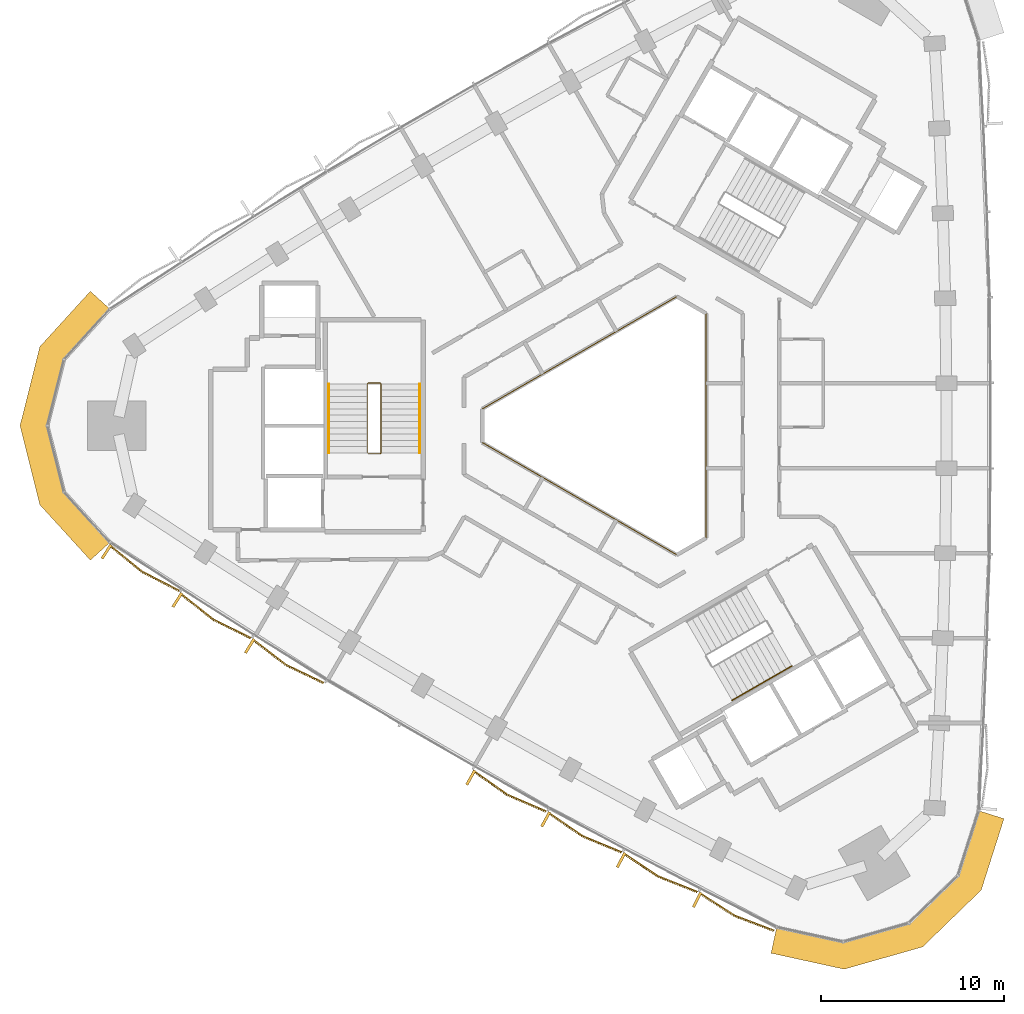
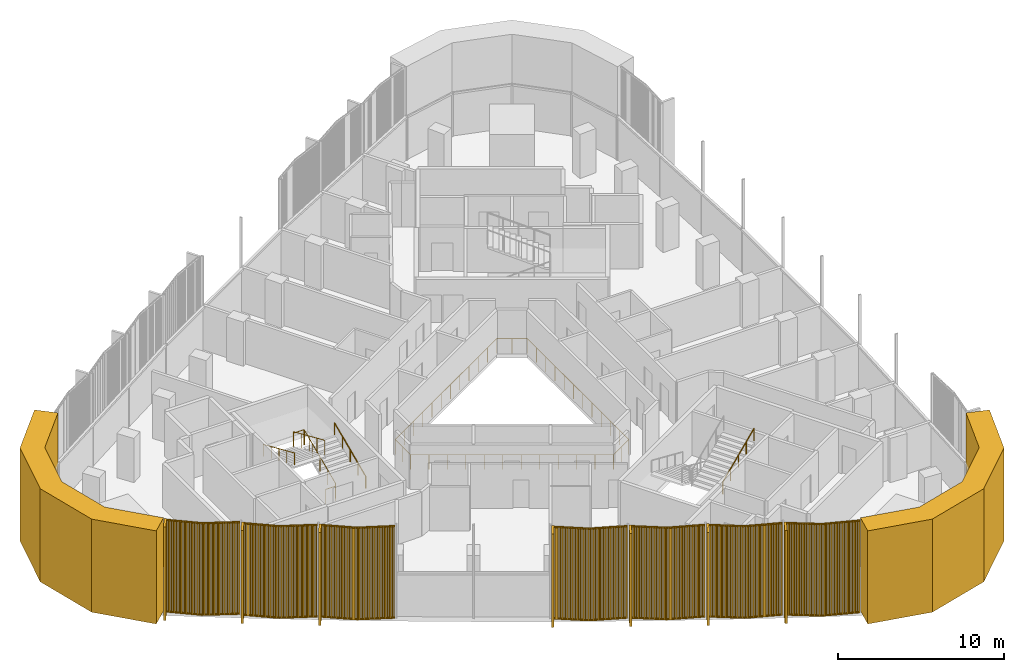
# One storey, part 12 of 14: 9 coverings, 5 railings.
"""IFC4 building model written with IfcOpenShell, lengths in metres."""

from ifc_helpers import new_model, si_unit, direction, frame, frame_2d, origin, origin_2d, place, context, subcontext, project, spatial, polyline, rectangle, circle, outline, extrude, source, transform, mapped, material, layer, layer_set, type_object, element, save


model = new_model("IFC4")

# Units and contexts
model_context = context("Model", 3, precision=1e-05, world=origin(), true_north=direction((0.0, 1.0)))
body_context = subcontext(model_context, "Body", "Model", "MODEL_VIEW")
ifc_project = project(units=[si_unit("LENGTHUNIT", "METRE"), si_unit("AREAUNIT", "SQUARE_METRE"), si_unit("VOLUMEUNIT", "CUBIC_METRE"), si_unit("PLANEANGLEUNIT", "RADIAN"), si_unit("MASSUNIT", "GRAM", prefix="KILO")], contexts=[model_context])

# Site, building, storey
site_placement = place(None, origin())
site = spatial("IfcSite", under=ifc_project, at=site_placement, CompositionType="ELEMENT")
building_placement = place(site_placement, origin())
building = spatial("IfcBuilding", under=site, at=building_placement, Name="Tamra Quay Hotel Tower", CompositionType="ELEMENT")
storey_placement = place(building_placement, frame((0.0, 0.0, 197.199951171875)))
storey = spatial("IfcBuildingStorey", under=building, at=storey_placement, Name="L49", CompositionType="ELEMENT", Elevation=197.199951171875)

# Coverings
ifc_material_1 = material(Name="Precast concrete M60 terracotta-coloured", Category="masonry")
ifc_layer = layer(ifc_material_1, 1.449951171875)
ifc_layer_set = layer_set([ifc_layer], Name="CORNER PIER PANEL")
covering_type_1 = type_object("IfcCoveringType", Name="CORNER PIER PANEL", PredefinedType="CLADDING", material=ifc_layer_set)
covering_1_placement = place(storey_placement, origin())
element("IfcCovering", 1, at=covering_1_placement, inside=storey, type_object=covering_type_1, Name="Corner pier L49.north-west", PredefinedType="CLADDING", context=body_context, shape_type="SweptSolid", body=[
    extrude(outline(polyline([(-27.928955078125, 6.36376953125), (-29.000732421875, 7.34033203125), (-31.754150390625, 4.318359375), (-32.83984375, 0.0), (-31.754150390625, -4.318359375), (-29.000732421875, -7.34033203125), (-27.928955078125, -6.36376953125), (-30.436767578125, -3.611083984375), (-31.3447265625, 0.0), (-30.436767578125, 3.611083984375), (-27.928955078125, 6.36376953125)])), origin(), (0.0, 0.0, 1.0), 6.85009765625),
])
covering_2_placement = place(storey_placement, origin())
element("IfcCovering", 2, at=covering_2_placement, inside=storey, type_object=covering_type_1, Name="Corner pier L49.south-west", PredefinedType="CLADDING", context=body_context, shape_type="SweptSolid", body=[
    extrude(outline(polyline([(8.453369140625, -27.369140625), (8.1435546875, -28.78564453125), (12.13720703125, -29.6591796875), (16.419921875, -28.440185546875), (19.616943359375, -25.3408203125), (20.857421875, -21.4453125), (19.4755859375, -21.00537109375), (18.345703125, -24.553466796875), (15.67236328125, -27.1455078125), (12.091064453125, -28.164794921875), (8.453369140625, -27.369140625)])), origin(), (0.0, 0.0, 1.0), 6.85009765625),
])

# Railings
ifc_material_2 = material(Name="Guard atrium edge 1100")
railing_type_1 = type_object("IfcRailingType", Name="Guard atrium edge 1100", PredefinedType="GUARDRAIL", material=ifc_material_2)
railing_1_placement = place(storey_placement, frame((4.60009765625, -6.1201171875, 0.0)))
element("IfcRailing", 3, at=railing_1_placement, inside=storey, type_object=railing_type_1, Name="G-A", PredefinedType="GUARDRAIL", context=body_context, shape_type="SweptSolid", body=[
    extrude(circle(Radius=0.02392578125, at=origin_2d()), frame((0.0, 0.0, 1.076171875), z_axis=(-0.86602275259, -0.500004591975, 0.0), x_axis=(0.500004591975, -0.86602275259, 0.0)), (0.0, 0.0, 1.0), 1.84765625),
    extrude(circle(Radius=0.02392578125, at=origin_2d()), frame((-1.60009765625, -0.923828125, 1.076171875), z_axis=(-0.866028806638, 0.499994106039, 0.0), x_axis=(-0.499994106039, -0.866028806638, 0.0)), (0.0, 0.0, 1.0), 12.239990234375),
    extrude(circle(Radius=0.02392578125, at=origin_2d()), frame((-12.2001953125, 5.196044921875, 1.076171875), z_axis=(0.0, 1.0, 0.0), x_axis=(-1.0, 0.0, 0.0)), (0.0, 0.0, 1.0), 1.84814453125),
    extrude(circle(Radius=0.02392578125, at=origin_2d()), frame((-12.2001953125, 7.044189453125, 1.076171875), z_axis=(0.866028806638, 0.499994106039, 0.0), x_axis=(-0.499994106039, 0.866028806638, 0.0)), (0.0, 0.0, 1.0), 12.239990234375),
    extrude(circle(Radius=0.02392578125, at=origin_2d()), frame((-1.60009765625, 13.1640625, 1.076171875), z_axis=(0.86602275259, -0.500004591975, 0.0), x_axis=(0.500004591975, 0.86602275259, 0.0)), (0.0, 0.0, 1.0), 1.84765625),
    extrude(circle(Radius=0.02392578125, at=origin_2d()), frame((0.0, 12.240234375, 1.076171875), z_axis=(0.0, -1.0, 0.0), x_axis=(1.0, 0.0, 0.0)), (0.0, 0.0, 1.0), 12.240234375),
    extrude(circle(Radius=0.02099609375, at=origin_2d()), origin(), (0.0, 0.0, 1.0), 1.052001953125),
    extrude(circle(Radius=0.02099609375, at=origin_2d()), frame((-0.800048828125, -0.4619140625, 0.0)), (0.0, 0.0, 1.0), 1.052001953125),
    extrude(circle(Radius=0.02099609375, at=origin_2d()), frame((-1.60009765625, -0.923828125, 0.0)), (0.0, 0.0, 1.0), 1.052001953125),
    extrude(circle(Radius=0.02099609375, at=origin_2d()), frame((-2.563720703125, -0.367431640625, 0.0)), (0.0, 0.0, 1.0), 1.052001953125),
    extrude(circle(Radius=0.02099609375, at=origin_2d()), frame((-3.52734375, 0.18896484375, 0.0)), (0.0, 0.0, 1.0), 1.052001953125),
    extrude(circle(Radius=0.02099609375, at=origin_2d()), frame((-4.490966796875, 0.7451171875, 0.0)), (0.0, 0.0, 1.0), 1.052001953125),
    extrude(circle(Radius=0.02099609375, at=origin_2d()), frame((-5.45458984375, 1.301513671875, 0.0)), (0.0, 0.0, 1.0), 1.052001953125),
    extrude(circle(Radius=0.02099609375, at=origin_2d()), frame((-6.418212890625, 1.85791015625, 0.0)), (0.0, 0.0, 1.0), 1.052001953125),
    extrude(circle(Radius=0.02099609375, at=origin_2d()), frame((-7.382080078125, 2.414306640625, 0.0)), (0.0, 0.0, 1.0), 1.052001953125),
    extrude(circle(Radius=0.02099609375, at=origin_2d()), frame((-8.345703125, 2.970703125, 0.0)), (0.0, 0.0, 1.0), 1.052001953125),
    extrude(circle(Radius=0.02099609375, at=origin_2d()), frame((-9.309326171875, 3.527099609375, 0.0)), (0.0, 0.0, 1.0), 1.052001953125),
    extrude(circle(Radius=0.02099609375, at=origin_2d()), frame((-10.27294921875, 4.083251953125, 0.0)), (0.0, 0.0, 1.0), 1.052001953125),
    extrude(circle(Radius=0.02099609375, at=origin_2d()), frame((-11.236572265625, 4.6396484375, 0.0)), (0.0, 0.0, 1.0), 1.052001953125),
    extrude(circle(Radius=0.02099609375, at=origin_2d()), frame((-12.2001953125, 5.196044921875, 0.0)), (0.0, 0.0, 1.0), 1.052001953125),
    extrude(circle(Radius=0.02099609375, at=origin_2d()), frame((-12.2001953125, 6.1201171875, 0.0)), (0.0, 0.0, 1.0), 1.052001953125),
    extrude(circle(Radius=0.02099609375, at=origin_2d()), frame((-12.2001953125, 7.044189453125, 0.0)), (0.0, 0.0, 1.0), 1.052001953125),
    extrude(circle(Radius=0.02099609375, at=origin_2d()), frame((-11.236572265625, 7.6005859375, 0.0)), (0.0, 0.0, 1.0), 1.052001953125),
    extrude(circle(Radius=0.02099609375, at=origin_2d()), frame((-10.27294921875, 8.156982421875, 0.0)), (0.0, 0.0, 1.0), 1.052001953125),
    extrude(circle(Radius=0.02099609375, at=origin_2d()), frame((-9.309326171875, 8.713134765625, 0.0)), (0.0, 0.0, 1.0), 1.052001953125),
    extrude(circle(Radius=0.02099609375, at=origin_2d()), frame((-8.345703125, 9.26953125, 0.0)), (0.0, 0.0, 1.0), 1.052001953125),
    extrude(circle(Radius=0.02099609375, at=origin_2d()), frame((-7.382080078125, 9.825927734375, 0.0)), (0.0, 0.0, 1.0), 1.052001953125),
    extrude(circle(Radius=0.02099609375, at=origin_2d()), frame((-6.418212890625, 10.38232421875, 0.0)), (0.0, 0.0, 1.0), 1.052001953125),
    extrude(circle(Radius=0.02099609375, at=origin_2d()), frame((-5.45458984375, 10.938720703125, 0.0)), (0.0, 0.0, 1.0), 1.052001953125),
    extrude(circle(Radius=0.02099609375, at=origin_2d()), frame((-4.490966796875, 11.4951171875, 0.0)), (0.0, 0.0, 1.0), 1.052001953125),
    extrude(circle(Radius=0.02099609375, at=origin_2d()), frame((-3.52734375, 12.05126953125, 0.0)), (0.0, 0.0, 1.0), 1.052001953125),
    extrude(circle(Radius=0.02099609375, at=origin_2d()), frame((-2.563720703125, 12.607666015625, 0.0)), (0.0, 0.0, 1.0), 1.052001953125),
    extrude(circle(Radius=0.02099609375, at=origin_2d()), frame((-1.60009765625, 13.1640625, 0.0)), (0.0, 0.0, 1.0), 1.052001953125),
    extrude(circle(Radius=0.02099609375, at=origin_2d()), frame((-0.800048828125, 12.7021484375, 0.0)), (0.0, 0.0, 1.0), 1.052001953125),
    extrude(circle(Radius=0.02099609375, at=origin_2d()), frame((0.0, 12.240234375, 0.0)), (0.0, 0.0, 1.0), 1.052001953125),
    extrude(circle(Radius=0.02099609375, at=origin_2d()), frame((0.0, 11.12744140625, 0.0)), (0.0, 0.0, 1.0), 1.052001953125),
    extrude(circle(Radius=0.02099609375, at=origin_2d()), frame((0.0, 10.0146484375, 0.0)), (0.0, 0.0, 1.0), 1.052001953125),
    extrude(circle(Radius=0.02099609375, at=origin_2d()), frame((0.0, 8.902099609375, 0.0)), (0.0, 0.0, 1.0), 1.052001953125),
    extrude(circle(Radius=0.02099609375, at=origin_2d()), frame((0.0, 7.789306640625, 0.0)), (0.0, 0.0, 1.0), 1.052001953125),
    extrude(circle(Radius=0.02099609375, at=origin_2d()), frame((0.0, 6.676513671875, 0.0)), (0.0, 0.0, 1.0), 1.052001953125),
    extrude(circle(Radius=0.02099609375, at=origin_2d()), frame((0.0, 5.563720703125, 0.0)), (0.0, 0.0, 1.0), 1.052001953125),
    extrude(circle(Radius=0.02099609375, at=origin_2d()), frame((0.0, 4.450927734375, 0.0)), (0.0, 0.0, 1.0), 1.052001953125),
    extrude(circle(Radius=0.02099609375, at=origin_2d()), frame((0.0, 3.338134765625, 0.0)), (0.0, 0.0, 1.0), 1.052001953125),
    extrude(circle(Radius=0.02099609375, at=origin_2d()), frame((0.0, 2.2255859375, 0.0)), (0.0, 0.0, 1.0), 1.052001953125),
    extrude(circle(Radius=0.02099609375, at=origin_2d()), frame((0.0, 1.11279296875, 0.0)), (0.0, 0.0, 1.0), 1.052001953125),
])
ifc_material_3 = material(Name="Stair guard 1100")
railing_type_2 = type_object("IfcRailingType", Name="Stair guard 1100", PredefinedType="GUARDRAIL", material=ifc_material_3)
railing_2_placement = place(storey_placement, frame((-13.84130859375, -1.530029296875, 0.0)))
element("IfcRailing", 4, at=railing_2_placement, inside=storey, type_object=railing_type_2, Name="GR", PredefinedType="GUARDRAIL", context=body_context, shape_type="SweptSolid", body=[
    extrude(circle(Radius=0.02392578125, at=origin_2d()), frame((0.0, 0.0, 1.076171875), z_axis=(1.0, 0.0, 0.0), x_axis=(0.0, 1.0, 0.0)), (0.0, 0.0, 1.0), 0.658935546875),
    extrude(circle(Radius=0.02392578125, at=origin_2d()), frame((0.658935546875, 0.0, 1.076171875), z_axis=(0.301511344578, 0.301511344578, 0.904534033733), x_axis=(-0.707106781187, 0.707106781187, 0.0)), (0.0, 0.0, 1.0), 0.166015625),
    extrude(circle(Radius=0.02392578125, at=origin_2d()), frame((0.708984375, 0.050048828125, 1.22607421875), z_axis=(0.0, 0.915795495799, 0.401644880304), x_axis=(-1.0, 0.0, 0.0)), (0.0, 0.0, 1.0), 4.10791015625),
    extrude(circle(Radius=0.02392578125, at=origin_2d()), frame((0.708984375, 3.81201171875, 2.8759765625), z_axis=(-0.708833529934, 0.705375805398, 0.0), x_axis=(-0.705375805398, -0.708833529934, 0.0)), (0.0, 0.0, 1.0), 0.070556640625),
    extrude(circle(Radius=0.02392578125, at=origin_2d()), frame((0.658935546875, 3.86181640625, 2.8759765625), z_axis=(-1.0, 0.0, 0.0), x_axis=(0.0, -1.0, 0.0)), (0.0, 0.0, 1.0), 0.658935546875),
    extrude(circle(Radius=0.02392578125, at=origin_2d()), frame((0.0, 3.86181640625, 2.8759765625), z_axis=(-0.302046947789, -0.300573548044, 0.904667443621), x_axis=(0.705375805398, -0.708833529934, 0.0)), (0.0, 0.0, 1.0), 0.165771484375),
    extrude(circle(Radius=0.02392578125, at=origin_2d()), frame((-0.050048828125, 3.81201171875, 3.02587890625), z_axis=(0.0, -0.915773634228, 0.401694723457), x_axis=(1.0, 0.0, 0.0)), (0.0, 0.0, 1.0), 4.10791015625),
    extrude(circle(Radius=0.02099609375, at=origin_2d()), origin(), (0.0, 0.0, 1.0), 1.052001953125),
    extrude(circle(Radius=0.02099609375, at=origin_2d()), frame((0.658935546875, 0.0, 0.0)), (0.0, 0.0, 1.0), 1.052001953125),
    extrude(circle(Radius=0.02099609375, at=origin_2d()), frame((0.708984375, 0.050048828125, 0.150146484375)), (0.0, 0.0, 1.0), 1.052001953125),
    extrude(circle(Radius=0.02099609375, at=origin_2d()), frame((0.708984375, 0.990478515625, 0.5625)), (0.0, 0.0, 1.0), 1.052001953125),
    extrude(circle(Radius=0.02099609375, at=origin_2d()), frame((0.708984375, 1.93115234375, 0.97509765625)), (0.0, 0.0, 1.0), 1.052001953125),
    extrude(circle(Radius=0.02099609375, at=origin_2d()), frame((0.708984375, 2.87158203125, 1.3876953125)), (0.0, 0.0, 1.0), 1.052001953125),
    extrude(circle(Radius=0.02099609375, at=origin_2d()), frame((0.708984375, 3.81201171875, 1.800048828125)), (0.0, 0.0, 1.0), 1.052001953125),
    extrude(circle(Radius=0.02099609375, at=origin_2d()), frame((0.658935546875, 3.86181640625, 1.800048828125)), (0.0, 0.0, 1.0), 1.052001953125),
    extrude(circle(Radius=0.02099609375, at=origin_2d()), frame((0.0, 3.86181640625, 1.800048828125)), (0.0, 0.0, 1.0), 1.052001953125),
    extrude(circle(Radius=0.02099609375, at=origin_2d()), frame((-0.050048828125, 3.81201171875, 1.949951171875)), (0.0, 0.0, 1.0), 1.052001953125),
    extrude(circle(Radius=0.02099609375, at=origin_2d()), frame((-0.050048828125, 2.87158203125, 2.362548828125)), (0.0, 0.0, 1.0), 1.052001953125),
    extrude(circle(Radius=0.02099609375, at=origin_2d()), frame((-0.050048828125, 1.93115234375, 2.77490234375)), (0.0, 0.0, 1.0), 1.052001953125),
    extrude(circle(Radius=0.02099609375, at=origin_2d()), frame((-0.050048828125, 0.990478515625, 3.1875)), (0.0, 0.0, 1.0), 1.052001953125),
    extrude(circle(Radius=0.02099609375, at=origin_2d()), frame((-0.050048828125, 0.050048828125, 3.60009765625)), (0.0, 0.0, 1.0), 1.052001953125),
])
ifc_material_4 = material(Name="Stair handrail 900")
railing_type_3 = type_object("IfcRailingType", Name="Stair handrail 900", PredefinedType="HANDRAIL", material=ifc_material_4)
railing_3_placement = place(storey_placement, frame((-11.0322265625, -1.47998046875, 0.150146484375)))
element("IfcRailing", 5, at=railing_3_placement, inside=storey, type_object=railing_type_3, Name="HR", PredefinedType="HANDRAIL", context=body_context, shape_type="SweptSolid", body=[
    extrude(circle(Radius=0.02392578125, at=origin_2d()), frame((0.0, 0.0, 0.8759765625), z_axis=(0.0, 0.915795495799, 0.401644880304), x_axis=(-1.0, 0.0, 0.0)), (0.0, 0.0, 1.0), 4.10791015625),
    extrude(circle(Radius=0.02099609375, at=origin_2d()), origin(), (0.0, 0.0, 1.0), 0.851806640625),
    extrude(circle(Radius=0.02099609375, at=origin_2d()), frame((0.0, 0.9404296875, 0.41259765625)), (0.0, 0.0, 1.0), 0.851806640625),
    extrude(circle(Radius=0.02099609375, at=origin_2d()), frame((0.0, 1.880859375, 0.824951171875)), (0.0, 0.0, 1.0), 0.851806640625),
    extrude(circle(Radius=0.02099609375, at=origin_2d()), frame((0.0, 2.821533203125, 1.2373046875)), (0.0, 0.0, 1.0), 0.851806640625),
    extrude(circle(Radius=0.02099609375, at=origin_2d()), frame((0.0, 3.761962890625, 1.64990234375)), (0.0, 0.0, 1.0), 0.851806640625),
])
railing_4_placement = place(storey_placement, frame((-15.9912109375, 2.281982421875, 1.949951171875)))
element("IfcRailing", 6, at=railing_4_placement, inside=storey, type_object=railing_type_3, Name="HR", PredefinedType="HANDRAIL", context=body_context, shape_type="SweptSolid", body=[
    extrude(circle(Radius=0.02392578125, at=origin_2d()), frame((0.0, 0.0, 0.8759765625), z_axis=(0.0, -0.915773634228, 0.401694723457), x_axis=(1.0, 0.0, 0.0)), (0.0, 0.0, 1.0), 4.10791015625),
    extrude(circle(Radius=0.02099609375, at=origin_2d()), origin(), (0.0, 0.0, 1.0), 0.851806640625),
    extrude(circle(Radius=0.02099609375, at=origin_2d()), frame((0.0, -0.9404296875, 0.41259765625)), (0.0, 0.0, 1.0), 0.851806640625),
    extrude(circle(Radius=0.02099609375, at=origin_2d()), frame((0.0, -1.880859375, 0.8251953125)), (0.0, 0.0, 1.0), 0.851806640625),
    extrude(circle(Radius=0.02099609375, at=origin_2d()), frame((0.0, -2.821533203125, 1.237548828125)), (0.0, 0.0, 1.0), 0.851806640625),
    extrude(circle(Radius=0.02099609375, at=origin_2d()), frame((0.0, -3.761962890625, 1.650146484375)), (0.0, 0.0, 1.0), 0.851806640625),
])
railing_5_placement = place(storey_placement, frame((6.01953125, -14.98974609375, 1.949951171875)))
element("IfcRailing", 7, at=railing_5_placement, inside=storey, type_object=railing_type_3, Name="HR", PredefinedType="HANDRAIL", context=body_context, shape_type="SweptSolid", body=[
    extrude(circle(Radius=0.02392578125, at=origin_2d()), frame((0.0, 0.0, 0.8759765625), z_axis=(0.793081112945, 0.457875966286, 0.40171127416), x_axis=(-0.499992114976, 0.866029956157, 0.0)), (0.0, 0.0, 1.0), 4.10791015625),
    extrude(circle(Radius=0.02099609375, at=origin_2d()), origin(), (0.0, 0.0, 1.0), 0.851806640625),
    extrude(circle(Radius=0.02099609375, at=origin_2d()), frame((0.814453125, 0.47021484375, 0.41259765625)), (0.0, 0.0, 1.0), 0.851806640625),
    extrude(circle(Radius=0.02099609375, at=origin_2d()), frame((1.62890625, 0.9404296875, 0.8251953125)), (0.0, 0.0, 1.0), 0.851806640625),
    extrude(circle(Radius=0.02099609375, at=origin_2d()), frame((2.443359375, 1.41064453125, 1.237548828125)), (0.0, 0.0, 1.0), 0.851806640625),
    extrude(circle(Radius=0.02099609375, at=origin_2d()), frame((3.2578125, 1.880859375, 1.650146484375)), (0.0, 0.0, 1.0), 0.851806640625),
])

# Coverings
ifc_material_5 = material(Name="Terracotta baguette extruded", Category="masonry")
covering_type_2 = type_object("IfcCoveringType", Name="BAGUETTE SCREEN SW-V H6850", PredefinedType="USERDEFINED", material=ifc_material_5)
shared_shape = source(origin(), body_context, "Body", "SweptSolid", [
    extrude(rectangle(XDim=2.30517578125, YDim=0.06005859375, at=frame_2d((1.152587890625, 0.030029296875))), frame((-2.298828125, -0.0576171875, -0.1201171875), z_axis=(0.0, 0.0, 1.0), x_axis=(0.994521895368, -0.104528463268, 0.0)), (0.0, 0.0, 1.0), 0.1201171875),
    extrude(rectangle(XDim=2.30517578125, YDim=0.06005859375, at=frame_2d((1.152587890625, 0.030029296875))), frame((-2.298828125, -0.0576171875, -6.85009765625), z_axis=(0.0, 0.0, 1.0), x_axis=(0.994521895368, -0.104528463268, 0.0)), (0.0, 0.0, 1.0), 0.1201171875),
    extrude(rectangle(XDim=0.070068359375, YDim=0.10009765625, at=frame_2d((0.03515625, 0.050048828125))), frame((-2.277587890625, -0.13330078125, -6.7900390625)), (0.0, 0.0, 1.0), 6.72998046875),
    extrude(rectangle(XDim=0.070068359375, YDim=0.10009765625, at=frame_2d((0.03515625, 0.050048828125))), frame((-2.177978515625, -0.143798828125, -6.7900390625)), (0.0, 0.0, 1.0), 6.72998046875),
    extrude(rectangle(XDim=0.070068359375, YDim=0.10009765625, at=frame_2d((0.03515625, 0.050048828125))), frame((-2.078369140625, -0.154296875, -6.7900390625)), (0.0, 0.0, 1.0), 6.72998046875),
    extrude(rectangle(XDim=0.070068359375, YDim=0.10009765625, at=frame_2d((0.03515625, 0.050048828125))), frame((-1.978759765625, -0.16455078125, -6.7900390625)), (0.0, 0.0, 1.0), 6.72998046875),
    extrude(rectangle(XDim=0.070068359375, YDim=0.10009765625, at=frame_2d((0.03515625, 0.050048828125))), frame((-1.87890625, -0.175048828125, -6.7900390625)), (0.0, 0.0, 1.0), 6.72998046875),
    extrude(rectangle(XDim=0.070068359375, YDim=0.10009765625, at=frame_2d((0.03515625, 0.050048828125))), frame((-1.779296875, -0.185546875, -6.7900390625)), (0.0, 0.0, 1.0), 6.72998046875),
    extrude(rectangle(XDim=0.070068359375, YDim=0.10009765625, at=frame_2d((0.03515625, 0.050048828125))), frame((-1.6796875, -0.196044921875, -6.7900390625)), (0.0, 0.0, 1.0), 6.72998046875),
    extrude(rectangle(XDim=0.070068359375, YDim=0.10009765625, at=frame_2d((0.03515625, 0.050048828125))), frame((-1.579833984375, -0.20654296875, -6.7900390625)), (0.0, 0.0, 1.0), 6.72998046875),
    extrude(rectangle(XDim=0.070068359375, YDim=0.10009765625, at=frame_2d((0.03515625, 0.050048828125))), frame((-1.480224609375, -0.217041015625, -6.7900390625)), (0.0, 0.0, 1.0), 6.72998046875),
    extrude(rectangle(XDim=0.070068359375, YDim=0.10009765625, at=frame_2d((0.03515625, 0.050048828125))), frame((-1.380615234375, -0.2275390625, -6.7900390625)), (0.0, 0.0, 1.0), 6.72998046875),
    extrude(rectangle(XDim=0.070068359375, YDim=0.10009765625, at=frame_2d((0.03515625, 0.050048828125))), frame((-1.281005859375, -0.238037109375, -6.7900390625)), (0.0, 0.0, 1.0), 6.72998046875),
    extrude(rectangle(XDim=0.070068359375, YDim=0.10009765625, at=frame_2d((0.03515625, 0.050048828125))), frame((-1.18115234375, -0.24853515625, -6.7900390625)), (0.0, 0.0, 1.0), 6.72998046875),
    extrude(rectangle(XDim=0.070068359375, YDim=0.10009765625, at=frame_2d((0.03515625, 0.050048828125))), frame((-1.08154296875, -0.259033203125, -6.7900390625)), (0.0, 0.0, 1.0), 6.72998046875),
    extrude(rectangle(XDim=0.070068359375, YDim=0.10009765625, at=frame_2d((0.03515625, 0.050048828125))), frame((-0.98193359375, -0.26953125, -6.7900390625)), (0.0, 0.0, 1.0), 6.72998046875),
    extrude(rectangle(XDim=0.070068359375, YDim=0.10009765625, at=frame_2d((0.03515625, 0.050048828125))), frame((-0.88232421875, -0.27978515625, -6.7900390625)), (0.0, 0.0, 1.0), 6.72998046875),
    extrude(rectangle(XDim=0.070068359375, YDim=0.10009765625, at=frame_2d((0.03515625, 0.050048828125))), frame((-0.782470703125, -0.290283203125, -6.7900390625)), (0.0, 0.0, 1.0), 6.72998046875),
    extrude(rectangle(XDim=0.070068359375, YDim=0.10009765625, at=frame_2d((0.03515625, 0.050048828125))), frame((-0.682861328125, -0.30078125, -6.7900390625)), (0.0, 0.0, 1.0), 6.72998046875),
    extrude(rectangle(XDim=0.070068359375, YDim=0.10009765625, at=frame_2d((0.03515625, 0.050048828125))), frame((-0.583251953125, -0.311279296875, -6.7900390625)), (0.0, 0.0, 1.0), 6.72998046875),
    extrude(rectangle(XDim=0.070068359375, YDim=0.10009765625, at=frame_2d((0.03515625, 0.050048828125))), frame((-0.483642578125, -0.32177734375, -6.7900390625)), (0.0, 0.0, 1.0), 6.72998046875),
    extrude(rectangle(XDim=0.070068359375, YDim=0.10009765625, at=frame_2d((0.03515625, 0.050048828125))), frame((-0.3837890625, -0.332275390625, -6.7900390625)), (0.0, 0.0, 1.0), 6.72998046875),
    extrude(rectangle(XDim=0.070068359375, YDim=0.10009765625, at=frame_2d((0.03515625, 0.050048828125))), frame((-0.2841796875, -0.3427734375, -6.7900390625)), (0.0, 0.0, 1.0), 6.72998046875),
    extrude(rectangle(XDim=0.070068359375, YDim=0.10009765625, at=frame_2d((0.03515625, 0.050048828125))), frame((-0.1845703125, -0.353271484375, -6.7900390625)), (0.0, 0.0, 1.0), 6.72998046875),
    extrude(rectangle(XDim=0.070068359375, YDim=0.10009765625, at=frame_2d((0.03515625, 0.050048828125))), frame((-0.0849609375, -0.36376953125, -6.7900390625)), (0.0, 0.0, 1.0), 6.72998046875),
    extrude(rectangle(XDim=2.30517578125, YDim=0.06005859375, at=frame_2d((1.152587890625, 0.030029296875))), frame((0.00634765625, -0.298583984375, -0.1201171875), z_axis=(0.0, 0.0, 1.0), x_axis=(0.994521895368, 0.104528463268, 0.0)), (0.0, 0.0, 1.0), 0.1201171875),
    extrude(rectangle(XDim=2.30517578125, YDim=0.06005859375, at=frame_2d((1.152587890625, 0.030029296875))), frame((0.00634765625, -0.298583984375, -6.85009765625), z_axis=(0.0, 0.0, 1.0), x_axis=(0.994521895368, 0.104528463268, 0.0)), (0.0, 0.0, 1.0), 0.1201171875),
    extrude(rectangle(XDim=0.070068359375, YDim=0.10009765625, at=frame_2d((0.03515625, 0.050048828125))), frame((0.014892578125, -0.36376953125, -6.7900390625)), (0.0, 0.0, 1.0), 6.72998046875),
    extrude(rectangle(XDim=0.070068359375, YDim=0.10009765625, at=frame_2d((0.03515625, 0.050048828125))), frame((0.114501953125, -0.353271484375, -6.7900390625)), (0.0, 0.0, 1.0), 6.72998046875),
    extrude(rectangle(XDim=0.070068359375, YDim=0.10009765625, at=frame_2d((0.03515625, 0.050048828125))), frame((0.214111328125, -0.3427734375, -6.7900390625)), (0.0, 0.0, 1.0), 6.72998046875),
    extrude(rectangle(XDim=0.070068359375, YDim=0.10009765625, at=frame_2d((0.03515625, 0.050048828125))), frame((0.31396484375, -0.332275390625, -6.7900390625)), (0.0, 0.0, 1.0), 6.72998046875),
    extrude(rectangle(XDim=0.070068359375, YDim=0.10009765625, at=frame_2d((0.03515625, 0.050048828125))), frame((0.41357421875, -0.32177734375, -6.7900390625)), (0.0, 0.0, 1.0), 6.72998046875),
    extrude(rectangle(XDim=0.070068359375, YDim=0.10009765625, at=frame_2d((0.03515625, 0.050048828125))), frame((0.51318359375, -0.311279296875, -6.7900390625)), (0.0, 0.0, 1.0), 6.72998046875),
    extrude(rectangle(XDim=0.070068359375, YDim=0.10009765625, at=frame_2d((0.03515625, 0.050048828125))), frame((0.61279296875, -0.30078125, -6.7900390625)), (0.0, 0.0, 1.0), 6.72998046875),
    extrude(rectangle(XDim=0.070068359375, YDim=0.10009765625, at=frame_2d((0.03515625, 0.050048828125))), frame((0.712646484375, -0.290283203125, -6.7900390625)), (0.0, 0.0, 1.0), 6.72998046875),
    extrude(rectangle(XDim=0.070068359375, YDim=0.10009765625, at=frame_2d((0.03515625, 0.050048828125))), frame((0.812255859375, -0.27978515625, -6.7900390625)), (0.0, 0.0, 1.0), 6.72998046875),
    extrude(rectangle(XDim=0.070068359375, YDim=0.10009765625, at=frame_2d((0.03515625, 0.050048828125))), frame((0.911865234375, -0.26953125, -6.7900390625)), (0.0, 0.0, 1.0), 6.72998046875),
    extrude(rectangle(XDim=0.070068359375, YDim=0.10009765625, at=frame_2d((0.03515625, 0.050048828125))), frame((1.011474609375, -0.259033203125, -6.7900390625)), (0.0, 0.0, 1.0), 6.72998046875),
    extrude(rectangle(XDim=0.070068359375, YDim=0.10009765625, at=frame_2d((0.03515625, 0.050048828125))), frame((1.111328125, -0.24853515625, -6.7900390625)), (0.0, 0.0, 1.0), 6.72998046875),
    extrude(rectangle(XDim=0.070068359375, YDim=0.10009765625, at=frame_2d((0.03515625, 0.050048828125))), frame((1.2109375, -0.238037109375, -6.7900390625)), (0.0, 0.0, 1.0), 6.72998046875),
    extrude(rectangle(XDim=0.070068359375, YDim=0.10009765625, at=frame_2d((0.03515625, 0.050048828125))), frame((1.310546875, -0.2275390625, -6.7900390625)), (0.0, 0.0, 1.0), 6.72998046875),
    extrude(rectangle(XDim=0.070068359375, YDim=0.10009765625, at=frame_2d((0.03515625, 0.050048828125))), frame((1.41015625, -0.217041015625, -6.7900390625)), (0.0, 0.0, 1.0), 6.72998046875),
    extrude(rectangle(XDim=0.070068359375, YDim=0.10009765625, at=frame_2d((0.03515625, 0.050048828125))), frame((1.510009765625, -0.20654296875, -6.7900390625)), (0.0, 0.0, 1.0), 6.72998046875),
    extrude(rectangle(XDim=0.070068359375, YDim=0.10009765625, at=frame_2d((0.03515625, 0.050048828125))), frame((1.609619140625, -0.196044921875, -6.7900390625)), (0.0, 0.0, 1.0), 6.72998046875),
    extrude(rectangle(XDim=0.070068359375, YDim=0.10009765625, at=frame_2d((0.03515625, 0.050048828125))), frame((1.709228515625, -0.185546875, -6.7900390625)), (0.0, 0.0, 1.0), 6.72998046875),
    extrude(rectangle(XDim=0.070068359375, YDim=0.10009765625, at=frame_2d((0.03515625, 0.050048828125))), frame((1.80908203125, -0.175048828125, -6.7900390625)), (0.0, 0.0, 1.0), 6.72998046875),
    extrude(rectangle(XDim=0.070068359375, YDim=0.10009765625, at=frame_2d((0.03515625, 0.050048828125))), frame((1.90869140625, -0.16455078125, -6.7900390625)), (0.0, 0.0, 1.0), 6.72998046875),
    extrude(rectangle(XDim=0.070068359375, YDim=0.10009765625, at=frame_2d((0.03515625, 0.050048828125))), frame((2.00830078125, -0.154296875, -6.7900390625)), (0.0, 0.0, 1.0), 6.72998046875),
    extrude(rectangle(XDim=0.070068359375, YDim=0.10009765625, at=frame_2d((0.03515625, 0.050048828125))), frame((2.10791015625, -0.143798828125, -6.7900390625)), (0.0, 0.0, 1.0), 6.72998046875),
    extrude(rectangle(XDim=0.070068359375, YDim=0.10009765625, at=frame_2d((0.03515625, 0.050048828125))), frame((2.207763671875, -0.13330078125, -6.7900390625)), (0.0, 0.0, 1.0), 6.72998046875),
    extrude(rectangle(XDim=0.14990234375, YDim=0.902099609375, at=frame_2d((0.074951171875, 0.451171875))), frame((-2.29248046875, -0.89990234375, -6.85009765625)), (0.0, 0.0, 1.0), 6.85009765625),
])
for number, where, z_axis, x_axis, name in (
    (8, (-26.0224609375, -7.71533203125, 6.85009765625), (0.0, 0.0, 1.0), (0.836986459463, -0.547223598428, 0.0), "Baguette screen L49.SW.f00"),
    (9, (-22.142822265625, -10.32080078125, 6.85009765625), (0.0, 0.0, 1.0), (0.844476178502, -0.535593114167, 0.0), "Baguette screen L49.SW.f01"),
    (10, (-18.17919921875, -12.796142578125, 6.85009765625), (0.0, 0.0, 1.0), (0.851815012775, -0.523842709229, 0.0), "Baguette screen L49.SW.f02"),
    (11, (-6.0869140625, -19.89013671875, 6.85009765625), (0.0, 0.0, 1.0), (0.872885132113, -0.487925758836, 0.0), "Baguette screen L49.SW.f05"),
    (12, (-1.9921875, -22.141845703125, 6.85009765625), (0.0, 0.0, 1.0), (0.879568600166, -0.475772085773, 0.0), "Baguette screen L49.SW.f06"),
    (13, (2.13330078125, -24.336669921875, 6.85009765625), (0.0, 0.0, 1.0), (0.886075332211, -0.46354126639, 0.0), "Baguette screen L49.SW.f07"),
    (14, (6.2890625, -26.47412109375, 6.85009765625), (0.0, 0.0, 1.0), (0.89240276752, -0.451239737304, 0.0), "Baguette screen L49.SW.f08"),
):
    element("IfcCovering", number, at=place(storey_placement, frame(where, z_axis=z_axis, x_axis=x_axis)), inside=storey, type_object=covering_type_2, Name=name, ObjectType="BAGUETTE SCREEN", PredefinedType="USERDEFINED", context=body_context, shape_type="MappedRepresentation", body=[
        mapped(shared_shape, transform((0.0, 0.0, 0.0), scale=1.0)),
    ])

save(model, "model.ifc")
